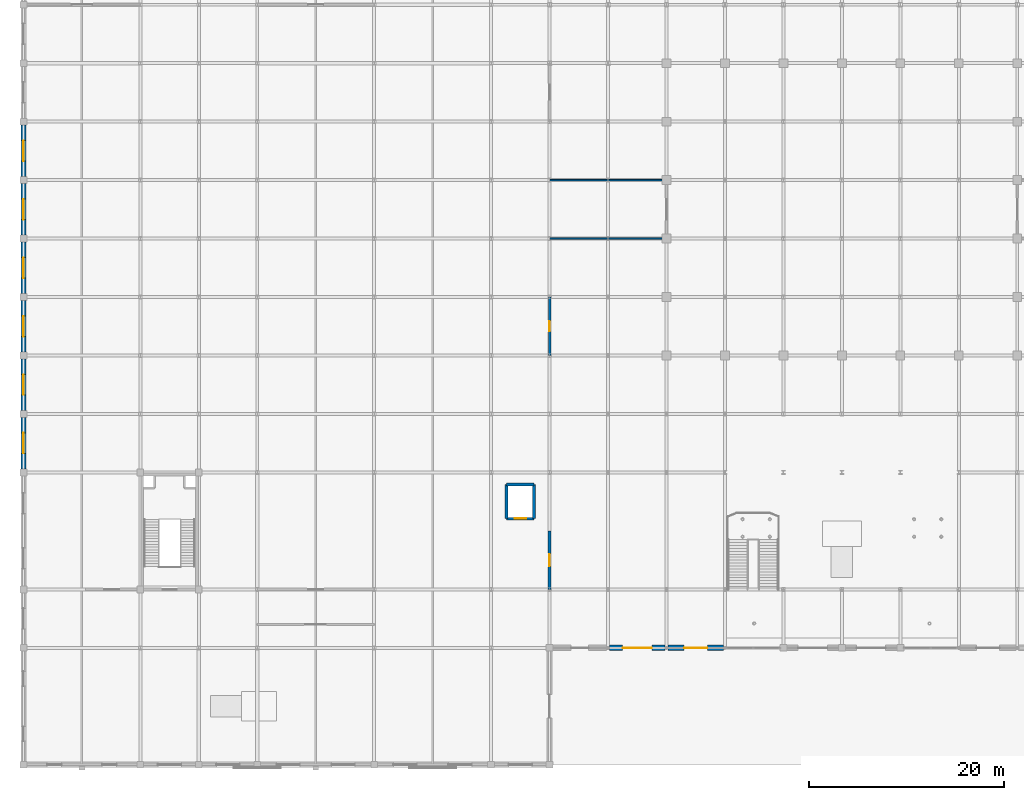
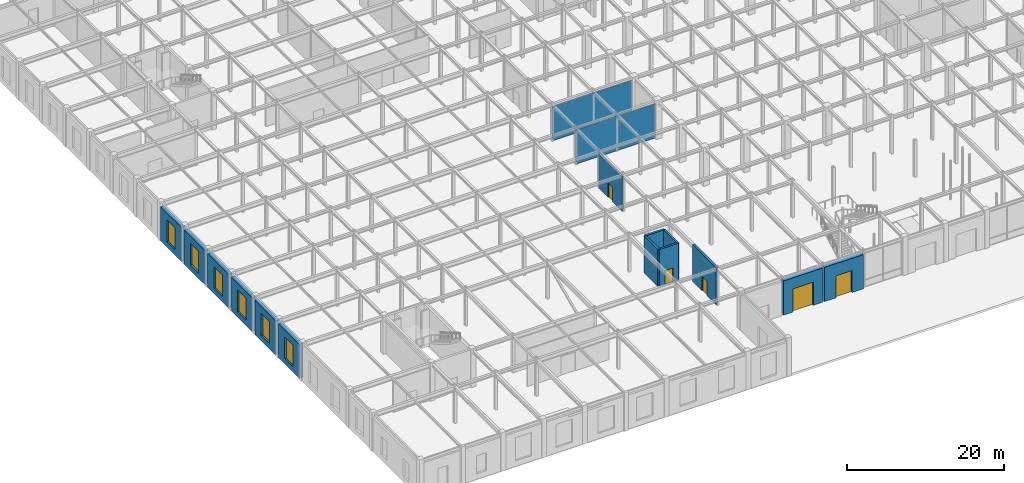
# One storey, part 41 of 51: 16 walls, 6 windows, 5 doors, 11 openings.
"""IFC4 building model written with IfcOpenShell, lengths in metres."""

from ifc_helpers import new_model, si_unit, direction, frame, frame_2d, origin, place, context, subcontext, project, spatial, rectangle, extrude, material, layer, layer_set, type_object, element, fill, save


model = new_model("IFC4")

# Units and contexts
model_context = context("Model", 3, precision=1e-05, world=origin(), true_north=direction((0.0, 1.0)))
body_context = subcontext(model_context, "Body", "Model", "MODEL_VIEW")
ifc_project = project(units=[si_unit("LENGTHUNIT", "METRE"), si_unit("AREAUNIT", "SQUARE_METRE"), si_unit("VOLUMEUNIT", "CUBIC_METRE"), si_unit("PLANEANGLEUNIT", "RADIAN"), si_unit("MASSUNIT", "GRAM", prefix="KILO")], contexts=[model_context])

# Site, building, storey
site_placement = place(None, origin())
site = spatial("IfcSite", under=ifc_project, at=site_placement, CompositionType="ELEMENT")
building_placement = place(site_placement, origin())
building = spatial("IfcBuilding", under=site, at=building_placement, Name="Zlatovratsky Civic Hall", CompositionType="ELEMENT")
storey_placement = place(building_placement, origin())
storey = spatial("IfcBuildingStorey", under=building, at=storey_placement, Name="L01", CompositionType="ELEMENT", Elevation=0.0)

# Wall, opening, door
ifc_material_1 = material(Name="Acoustic ceramic blockwork", Category="masonry")
ifc_layer_1 = layer(ifc_material_1, 0.260009765625)
ifc_layer_set_1 = layer_set([ifc_layer_1], Name="Acoustic ceramic blockwork")
wall_type_1 = type_object("IfcWallType", Name="Wall_ArchiveCompartment_260", PredefinedType="PARTITIONING", material=ifc_layer_set_1)
wall_1_placement = place(storey_placement, frame((54.0, 42.0, 0.0), z_axis=(0.0, 0.0, 1.0), x_axis=(0.0, 1.0, 0.0)))
wall_1 = element("IfcWall", 1, at=wall_1_placement, inside=storey, type_object=wall_type_1, Name="WL-6082", PredefinedType="PARTITIONING", context=body_context, shape_type="SweptSolid", body=[
    extrude(rectangle(XDim=6.0, YDim=0.260009765625, at=frame_2d((3.0, 0.0))), origin(), (0.0, 0.0, 1.0), 5.320068359375),
])
opening_1_placement = place(wall_1_placement, frame((2.47509765625, 0.0, 0.0)))
opening_1 = element("IfcOpeningElement", 2, at=opening_1_placement, cuts=wall_1, Name="Opening D-24", PredefinedType="OPENING", context=body_context, shape_type="SweptSolid", body=[
    extrude(rectangle(XDim=1.050048828125, YDim=2.25, at=frame_2d((0.52490234375, 1.125))), frame((0.0, 0.14501953125, 0.0), z_axis=(0.0, -1.0, 0.0), x_axis=(1.0, 0.0, 0.0)), (0.0, 0.0, 1.0), 0.289794921875),
])
ifc_material_2 = material(Name="Solid oak joinery in steel frame", Category="steel")
door_type_1 = type_object("IfcDoorType", Name="Door_DirectorateOffice_1050x2250", OperationType="NOTDEFINED", PredefinedType="DOOR", material=ifc_material_2)
door_1_placement = place(opening_1_placement, origin())
door_1 = element("IfcDoor", 3, at=door_1_placement, inside=storey, type_object=door_type_1, Name="DR-5243", OperationType="SINGLE_SWING_LEFT", OverallHeight=2.25, OverallWidth=1.050048828125, PredefinedType="DOOR", context=body_context, shape_type="SweptSolid", body=[
    extrude(rectangle(XDim=1.050048828125, YDim=2.25, at=frame_2d((0.52490234375, 1.125))), frame((0.0, 0.02490234375, 0.0), z_axis=(0.0, -1.0, 0.0), x_axis=(1.0, 0.0, 0.0)), (0.0, 0.0, 1.0), 0.050048828125),
])
fill(opening_1, door_1)

# Walls
ifc_material_3 = material(Name="Fire-rated gypsum board framing", Category="gypsum")
ifc_layer_2 = layer(ifc_material_3, 0.139892578125)
ifc_layer_set_2 = layer_set([ifc_layer_2], Name="Fire-rated gypsum board framing")
wall_type_2 = type_object("IfcWallType", Name="Wall_OfficePartition_140", PredefinedType="PARTITIONING", material=ifc_layer_set_2)
for number, where, z_axis, x_axis, name in (
    (4, (54.0, 54.0, 0.0), (0.0, 0.0, 1.0), (1.0, 0.0, 0.0), "WL-6095"),
    (5, (54.0, 60.0, 0.0), (0.0, 0.0, 1.0), (1.0, 0.0, 0.0), "WL-6096"),
):
    element("IfcWall", number, at=place(storey_placement, frame(where, z_axis=z_axis, x_axis=x_axis)), inside=storey, type_object=wall_type_2, Name=name, PredefinedType="PARTITIONING", context=body_context, shape_type="SweptSolid", body=[
        extrude(rectangle(XDim=11.659912109375, YDim=0.139892578125, at=frame_2d((5.830078125, 0.0))), origin(), (0.0, 0.0, 1.0), 5.320068359375),
    ])

# Wall, opening, door
ifc_layer_3 = layer(ifc_material_1, 0.39990234375, Name="Backing")
ifc_material_4 = material(Name="Polished Karelian granite ashlar", Category="masonry")
ifc_layer_4 = layer(ifc_material_4, 0.139892578125, Name="Finish")
ifc_layer_set_3 = layer_set([ifc_layer_3, ifc_layer_4], Name="Acoustic ceramic blockwork")
wall_type_3 = type_object("IfcWallType", Name="Wall_PodiumGraniteArcade_540", PredefinedType="SOLIDWALL", material=ifc_layer_set_3)
wall_2_placement = place(storey_placement, frame((60.136474609375, 12.0, 0.0), z_axis=(0.0, 0.0, 1.0), x_axis=(1.0, 0.0, 0.0)))
wall_2 = element("IfcWall", 6, at=wall_2_placement, inside=storey, type_object=wall_type_3, Name="WL-0097", PredefinedType="SOLIDWALL", context=body_context, shape_type="SweptSolid", body=[
    extrude(rectangle(XDim=5.72705078125, YDim=0.5400390625, at=frame_2d((2.863525390625, 0.0))), origin(), (0.0, 0.0, 1.0), 5.31005859375),
])
opening_2_placement = place(wall_2_placement, frame((1.364013671875, 0.0, 0.0)))
opening_2 = element("IfcOpeningElement", 7, at=opening_2_placement, cuts=wall_2, Name="Opening D-01", PredefinedType="OPENING", context=body_context, shape_type="SweptSolid", body=[
    extrude(rectangle(XDim=3.0, YDim=3.60009765625, at=frame_2d((1.5, 1.800048828125))), frame((0.0, 0.284912109375, 0.0), z_axis=(0.0, -1.0, 0.0), x_axis=(1.0, 0.0, 0.0)), (0.0, 0.0, 1.0), 0.56982421875),
])
ifc_material_5 = material(Name="Monumental cast bronze glazed portal", Category="aluminium")
door_type_2 = type_object("IfcDoorType", Name="Door_MainPortalBronze_3000x3600", OperationType="DOUBLE_DOOR_SINGLE_SWING", PredefinedType="DOOR", material=ifc_material_5)
door_2_placement = place(opening_2_placement, origin())
door_2 = element("IfcDoor", 8, at=door_2_placement, inside=storey, type_object=door_type_2, Name="DR-0007", OperationType="DOUBLE_DOOR_SINGLE_SWING", OverallHeight=3.60009765625, OverallWidth=3.0, PredefinedType="DOOR", context=body_context, shape_type="SweptSolid", body=[
    extrude(rectangle(XDim=3.0, YDim=3.60009765625, at=frame_2d((1.5, 1.800048828125))), frame((0.0, 0.02490234375, 0.0), z_axis=(0.0, -1.0, 0.0), x_axis=(1.0, 0.0, 0.0)), (0.0, 0.0, 1.0), 0.050048828125),
])
fill(opening_2, door_2)

wall_3_placement = place(storey_placement, frame((66.136474609375, 12.0, 0.0), z_axis=(0.0, 0.0, 1.0), x_axis=(1.0, 0.0, 0.0)))
wall_3 = element("IfcWall", 9, at=wall_3_placement, inside=storey, type_object=wall_type_3, Name="WL-0098", PredefinedType="SOLIDWALL", context=body_context, shape_type="SweptSolid", body=[
    extrude(rectangle(XDim=5.72705078125, YDim=0.5400390625, at=frame_2d((2.863525390625, 0.0))), origin(), (0.0, 0.0, 1.0), 5.31005859375),
])
opening_3_placement = place(wall_3_placement, frame((1.6640625, 0.0, 0.0)))
opening_3 = element("IfcOpeningElement", 10, at=opening_3_placement, cuts=wall_3, Name="Opening D-02", PredefinedType="OPENING", context=body_context, shape_type="SweptSolid", body=[
    extrude(rectangle(XDim=2.39990234375, YDim=3.39990234375, at=frame_2d((1.199951171875, 1.699951171875))), frame((0.0, 0.284912109375, 0.0), z_axis=(0.0, -1.0, 0.0), x_axis=(1.0, 0.0, 0.0)), (0.0, 0.0, 1.0), 0.56982421875),
])
door_type_3 = type_object("IfcDoorType", Name="Door_PlazaColonnade_2400x3400", OperationType="DOUBLE_DOOR_SINGLE_SWING", PredefinedType="DOOR", material=ifc_material_5)
door_3_placement = place(opening_3_placement, origin())
door_3 = element("IfcDoor", 11, at=door_3_placement, inside=storey, type_object=door_type_3, Name="DR-0008", OperationType="DOUBLE_DOOR_SINGLE_SWING", OverallHeight=3.39990234375, OverallWidth=2.39990234375, PredefinedType="DOOR", context=body_context, shape_type="SweptSolid", body=[
    extrude(rectangle(XDim=2.39990234375, YDim=3.39990234375, at=frame_2d((1.199951171875, 1.699951171875))), frame((0.0, 0.02490234375, 0.0), z_axis=(0.0, -1.0, 0.0), x_axis=(1.0, 0.0, 0.0)), (0.0, 0.0, 1.0), 0.050048828125),
])
fill(opening_3, door_3)

# Wall, opening, window
wall_4_placement = place(storey_placement, frame((0.0, 30.35009765625, 0.0), z_axis=(0.0, 0.0, 1.0), x_axis=(0.0, 1.0, 0.0)))
wall_4 = element("IfcWall", 12, at=wall_4_placement, inside=storey, type_object=wall_type_3, Name="WL-0136", PredefinedType="SOLIDWALL", context=body_context, shape_type="SweptSolid", body=[
    extrude(rectangle(XDim=5.2998046875, YDim=0.5400390625, at=frame_2d((2.64990234375, 0.0))), origin(), (0.0, 0.0, 1.0), 5.31005859375),
])
opening_4_placement = place(wall_4_placement, frame((1.60009765625, 0.0, 0.85009765625)))
opening_4 = element("IfcOpeningElement", 13, at=opening_4_placement, cuts=wall_4, Name="Opening WN-02", PredefinedType="OPENING", context=body_context, shape_type="SweptSolid", body=[
    extrude(rectangle(XDim=2.10009765625, YDim=3.39990234375, at=frame_2d((1.050048828125, 1.699951171875))), frame((0.0, 0.284912109375, 0.0), z_axis=(0.0, -1.0, 0.0), x_axis=(1.0, 0.0, 0.0)), (0.0, 0.0, 1.0), 0.56982421875),
])
ifc_material_6 = material(Name="Low-E laminated double glazing", Category="glass")
window_type = type_object("IfcWindowType", Name="Window_GroundCornerPavilion_2100x3400", PartitioningType="SINGLE_PANEL", PredefinedType="WINDOW", material=ifc_material_6)
window_1_placement = place(opening_4_placement, origin())
window_1 = element("IfcWindow", 14, at=window_1_placement, inside=storey, type_object=window_type, Name="WN-0044", OverallHeight=3.39990234375, OverallWidth=2.10009765625, PartitioningType="SINGLE_PANEL", PredefinedType="WINDOW", context=body_context, shape_type="SweptSolid", body=[
    extrude(rectangle(XDim=2.10009765625, YDim=3.39990234375, at=frame_2d((1.050048828125, 1.699951171875))), frame((0.0, 0.030029296875, 0.0), z_axis=(0.0, -1.0, 0.0), x_axis=(1.0, 0.0, 0.0)), (0.0, 0.0, 1.0), 0.06005859375),
])
fill(opening_4, window_1)

wall_5_placement = place(storey_placement, frame((0.0, 36.35009765625, 0.0), z_axis=(0.0, 0.0, 1.0), x_axis=(0.0, 1.0, 0.0)))
wall_5 = element("IfcWall", 15, at=wall_5_placement, inside=storey, type_object=wall_type_3, Name="WL-0137", PredefinedType="SOLIDWALL", context=body_context, shape_type="SweptSolid", body=[
    extrude(rectangle(XDim=5.2998046875, YDim=0.5400390625, at=frame_2d((2.64990234375, 0.0))), origin(), (0.0, 0.0, 1.0), 5.31005859375),
])
opening_5_placement = place(wall_5_placement, frame((1.60009765625, 0.0, 0.85009765625)))
opening_5 = element("IfcOpeningElement", 16, at=opening_5_placement, cuts=wall_5, Name="Opening WN-02", PredefinedType="OPENING", context=body_context, shape_type="SweptSolid", body=[
    extrude(rectangle(XDim=2.10009765625, YDim=3.39990234375, at=frame_2d((1.050048828125, 1.699951171875))), frame((0.0, 0.284912109375, 0.0), z_axis=(0.0, -1.0, 0.0), x_axis=(1.0, 0.0, 0.0)), (0.0, 0.0, 1.0), 0.56982421875),
])
window_2_placement = place(opening_5_placement, origin())
window_2 = element("IfcWindow", 17, at=window_2_placement, inside=storey, type_object=window_type, Name="WN-0045", OverallHeight=3.39990234375, OverallWidth=2.10009765625, PartitioningType="SINGLE_PANEL", PredefinedType="WINDOW", context=body_context, shape_type="SweptSolid", body=[
    extrude(rectangle(XDim=2.10009765625, YDim=3.39990234375, at=frame_2d((1.050048828125, 1.699951171875))), frame((0.0, 0.030029296875, 0.0), z_axis=(0.0, -1.0, 0.0), x_axis=(1.0, 0.0, 0.0)), (0.0, 0.0, 1.0), 0.06005859375),
])
fill(opening_5, window_2)

wall_6_placement = place(storey_placement, frame((0.0, 42.35009765625, 0.0), z_axis=(0.0, 0.0, 1.0), x_axis=(0.0, 1.0, 0.0)))
wall_6 = element("IfcWall", 18, at=wall_6_placement, inside=storey, type_object=wall_type_3, Name="WL-0138", PredefinedType="SOLIDWALL", context=body_context, shape_type="SweptSolid", body=[
    extrude(rectangle(XDim=5.2998046875, YDim=0.5400390625, at=frame_2d((2.64990234375, 0.0))), origin(), (0.0, 0.0, 1.0), 5.31005859375),
])
opening_6_placement = place(wall_6_placement, frame((1.60009765625, 0.0, 0.85009765625)))
opening_6 = element("IfcOpeningElement", 19, at=opening_6_placement, cuts=wall_6, Name="Opening WN-02", PredefinedType="OPENING", context=body_context, shape_type="SweptSolid", body=[
    extrude(rectangle(XDim=2.10009765625, YDim=3.39990234375, at=frame_2d((1.050048828125, 1.699951171875))), frame((0.0, 0.284912109375, 0.0), z_axis=(0.0, -1.0, 0.0), x_axis=(1.0, 0.0, 0.0)), (0.0, 0.0, 1.0), 0.56982421875),
])
window_3_placement = place(opening_6_placement, origin())
window_3 = element("IfcWindow", 20, at=window_3_placement, inside=storey, type_object=window_type, Name="WN-0046", OverallHeight=3.39990234375, OverallWidth=2.10009765625, PartitioningType="SINGLE_PANEL", PredefinedType="WINDOW", context=body_context, shape_type="SweptSolid", body=[
    extrude(rectangle(XDim=2.10009765625, YDim=3.39990234375, at=frame_2d((1.050048828125, 1.699951171875))), frame((0.0, 0.030029296875, 0.0), z_axis=(0.0, -1.0, 0.0), x_axis=(1.0, 0.0, 0.0)), (0.0, 0.0, 1.0), 0.06005859375),
])
fill(opening_6, window_3)

wall_7_placement = place(storey_placement, frame((0.0, 48.35009765625, 0.0), z_axis=(0.0, 0.0, 1.0), x_axis=(0.0, 1.0, 0.0)))
wall_7 = element("IfcWall", 21, at=wall_7_placement, inside=storey, type_object=wall_type_3, Name="WL-0139", PredefinedType="SOLIDWALL", context=body_context, shape_type="SweptSolid", body=[
    extrude(rectangle(XDim=5.2998046875, YDim=0.5400390625, at=frame_2d((2.64990234375, 0.0))), origin(), (0.0, 0.0, 1.0), 5.31005859375),
])
opening_7_placement = place(wall_7_placement, frame((1.60009765625, 0.0, 0.85009765625)))
opening_7 = element("IfcOpeningElement", 22, at=opening_7_placement, cuts=wall_7, Name="Opening WN-02", PredefinedType="OPENING", context=body_context, shape_type="SweptSolid", body=[
    extrude(rectangle(XDim=2.10009765625, YDim=3.39990234375, at=frame_2d((1.050048828125, 1.699951171875))), frame((0.0, 0.284912109375, 0.0), z_axis=(0.0, -1.0, 0.0), x_axis=(1.0, 0.0, 0.0)), (0.0, 0.0, 1.0), 0.56982421875),
])
window_4_placement = place(opening_7_placement, origin())
window_4 = element("IfcWindow", 23, at=window_4_placement, inside=storey, type_object=window_type, Name="WN-0047", OverallHeight=3.39990234375, OverallWidth=2.10009765625, PartitioningType="SINGLE_PANEL", PredefinedType="WINDOW", context=body_context, shape_type="SweptSolid", body=[
    extrude(rectangle(XDim=2.10009765625, YDim=3.39990234375, at=frame_2d((1.050048828125, 1.699951171875))), frame((0.0, 0.030029296875, 0.0), z_axis=(0.0, -1.0, 0.0), x_axis=(1.0, 0.0, 0.0)), (0.0, 0.0, 1.0), 0.06005859375),
])
fill(opening_7, window_4)

wall_8_placement = place(storey_placement, frame((0.0, 54.35009765625, 0.0), z_axis=(0.0, 0.0, 1.0), x_axis=(0.0, 1.0, 0.0)))
wall_8 = element("IfcWall", 24, at=wall_8_placement, inside=storey, type_object=wall_type_3, Name="WL-0140", PredefinedType="SOLIDWALL", context=body_context, shape_type="SweptSolid", body=[
    extrude(rectangle(XDim=5.2998046875, YDim=0.5400390625, at=frame_2d((2.64990234375, 0.0))), origin(), (0.0, 0.0, 1.0), 5.31005859375),
])
opening_8_placement = place(wall_8_placement, frame((1.60009765625, 0.0, 0.85009765625)))
opening_8 = element("IfcOpeningElement", 25, at=opening_8_placement, cuts=wall_8, Name="Opening WN-02", PredefinedType="OPENING", context=body_context, shape_type="SweptSolid", body=[
    extrude(rectangle(XDim=2.10009765625, YDim=3.39990234375, at=frame_2d((1.050048828125, 1.699951171875))), frame((0.0, 0.284912109375, 0.0), z_axis=(0.0, -1.0, 0.0), x_axis=(1.0, 0.0, 0.0)), (0.0, 0.0, 1.0), 0.56982421875),
])
window_5_placement = place(opening_8_placement, origin())
window_5 = element("IfcWindow", 26, at=window_5_placement, inside=storey, type_object=window_type, Name="WN-0048", OverallHeight=3.39990234375, OverallWidth=2.10009765625, PartitioningType="SINGLE_PANEL", PredefinedType="WINDOW", context=body_context, shape_type="SweptSolid", body=[
    extrude(rectangle(XDim=2.10009765625, YDim=3.39990234375, at=frame_2d((1.050048828125, 1.699951171875))), frame((0.0, 0.030029296875, 0.0), z_axis=(0.0, -1.0, 0.0), x_axis=(1.0, 0.0, 0.0)), (0.0, 0.0, 1.0), 0.06005859375),
])
fill(opening_8, window_5)

wall_9_placement = place(storey_placement, frame((0.0, 60.35009765625, 0.0), z_axis=(0.0, 0.0, 1.0), x_axis=(0.0, 1.0, 0.0)))
wall_9 = element("IfcWall", 27, at=wall_9_placement, inside=storey, type_object=wall_type_3, Name="WL-0141", PredefinedType="SOLIDWALL", context=body_context, shape_type="SweptSolid", body=[
    extrude(rectangle(XDim=5.2998046875, YDim=0.5400390625, at=frame_2d((2.64990234375, 0.0))), origin(), (0.0, 0.0, 1.0), 5.31005859375),
])
opening_9_placement = place(wall_9_placement, frame((1.60009765625, 0.0, 0.85009765625)))
opening_9 = element("IfcOpeningElement", 28, at=opening_9_placement, cuts=wall_9, Name="Opening WN-02", PredefinedType="OPENING", context=body_context, shape_type="SweptSolid", body=[
    extrude(rectangle(XDim=2.10009765625, YDim=3.39990234375, at=frame_2d((1.050048828125, 1.699951171875))), frame((0.0, 0.284912109375, 0.0), z_axis=(0.0, -1.0, 0.0), x_axis=(1.0, 0.0, 0.0)), (0.0, 0.0, 1.0), 0.56982421875),
])
window_6_placement = place(opening_9_placement, origin())
window_6 = element("IfcWindow", 29, at=window_6_placement, inside=storey, type_object=window_type, Name="WN-0049", OverallHeight=3.39990234375, OverallWidth=2.10009765625, PartitioningType="SINGLE_PANEL", PredefinedType="WINDOW", context=body_context, shape_type="SweptSolid", body=[
    extrude(rectangle(XDim=2.10009765625, YDim=3.39990234375, at=frame_2d((1.050048828125, 1.699951171875))), frame((0.0, 0.030029296875, 0.0), z_axis=(0.0, -1.0, 0.0), x_axis=(1.0, 0.0, 0.0)), (0.0, 0.0, 1.0), 0.06005859375),
])
fill(opening_9, window_6)

# Wall, opening, door
ifc_material_7 = material(Name="Concrete C35/45 (B40)", Category="concrete")
ifc_layer_5 = layer(ifc_material_7, 0.300048828125)
ifc_layer_set_4 = layer_set([ifc_layer_5], Name="Concrete C35/45 (B40)")
wall_type_4 = type_object("IfcWallType", Name="Wall_StairAndLiftShaft_300", PredefinedType="SHEAR", material=ifc_layer_set_4)
wall_10_placement = place(storey_placement, frame((49.60009765625, 25.25, 0.0), z_axis=(0.0, 0.0, 1.0), x_axis=(1.0, 0.0, 0.0)))
wall_10 = element("IfcWall", 30, at=wall_10_placement, inside=storey, type_object=wall_type_4, Name="WL-5973", PredefinedType="SHEAR", context=body_context, shape_type="SweptSolid", body=[
    extrude(rectangle(XDim=2.7998046875, YDim=0.300048828125, at=frame_2d((1.39990234375, 0.0))), origin(), (0.0, 0.0, 1.0), 5.760009765625),
])
opening_10_placement = place(wall_10_placement, frame((0.800048828125, 0.0, 0.0)))
opening_10 = element("IfcOpeningElement", 31, at=opening_10_placement, cuts=wall_10, Name="Opening LD-04", PredefinedType="OPENING", context=body_context, shape_type="SweptSolid", body=[
    extrude(rectangle(XDim=1.199951171875, YDim=2.199951171875, at=frame_2d((0.60009765625, 1.10009765625))), frame((0.0, 0.1650390625, 0.0), z_axis=(0.0, -1.0, 0.0), x_axis=(1.0, 0.0, 0.0)), (0.0, 0.0, 1.0), 0.329833984375),
])
ifc_material_8 = material(Name="Brushed stainless steel AISI 304", Category="steel")
door_type_4 = type_object("IfcDoorType", Name="Door_LiftLandingShuttle_1200x2200", OperationType="DOUBLE_DOOR_SLIDING", PredefinedType="DOOR", material=ifc_material_8)
door_4_placement = place(opening_10_placement, origin())
door_4 = element("IfcDoor", 32, at=door_4_placement, inside=storey, type_object=door_type_4, Name="Lift landing door LD-5196", OperationType="DOUBLE_DOOR_SLIDING", OverallHeight=2.199951171875, OverallWidth=1.199951171875, PredefinedType="DOOR", context=body_context, shape_type="SweptSolid", body=[
    extrude(rectangle(XDim=1.199951171875, YDim=2.199951171875, at=frame_2d((0.60009765625, 1.10009765625))), frame((0.0, 0.02490234375, 0.0), z_axis=(0.0, -1.0, 0.0), x_axis=(1.0, 0.0, 0.0)), (0.0, 0.0, 1.0), 0.050048828125),
])
fill(opening_10, door_4)

# Walls
wall_11_placement = place(storey_placement, frame((49.60009765625, 28.75, 0.0), z_axis=(0.0, 0.0, 1.0), x_axis=(1.0, 0.0, 0.0)))
element("IfcWall", 33, at=wall_11_placement, inside=storey, type_object=wall_type_4, Name="WL-5974", PredefinedType="SHEAR", context=body_context, shape_type="SweptSolid", body=[
    extrude(rectangle(XDim=2.7998046875, YDim=0.300048828125, at=frame_2d((1.39990234375, 0.0))), origin(), (0.0, 0.0, 1.0), 5.760009765625),
])
for number, where, z_axis, x_axis, name in (
    (34, (49.60009765625, 25.25, 0.0), (0.0, 0.0, 1.0), (0.0, 1.0, 0.0), "WL-5975"),
    (35, (52.39990234375, 25.25, 0.0), (0.0, 0.0, 1.0), (0.0, 1.0, 0.0), "WL-5976"),
):
    element("IfcWall", number, at=place(storey_placement, frame(where, z_axis=z_axis, x_axis=x_axis)), inside=storey, type_object=wall_type_4, Name=name, PredefinedType="SHEAR", context=body_context, shape_type="SweptSolid", body=[
        extrude(rectangle(XDim=3.5, YDim=0.300048828125, at=frame_2d((1.75, 0.0))), origin(), (0.0, 0.0, 1.0), 5.760009765625),
    ])

# Wall, opening, door
wall_12_placement = place(storey_placement, frame((54.0, 18.0, 0.0), z_axis=(0.0, 0.0, 1.0), x_axis=(0.0, 1.0, 0.0)))
wall_12 = element("IfcWall", 36, at=wall_12_placement, inside=storey, type_object=wall_type_4, Name="WL-6065", PredefinedType="SHEAR", context=body_context, shape_type="SweptSolid", body=[
    extrude(rectangle(XDim=6.0, YDim=0.300048828125, at=frame_2d((3.0, 0.0))), origin(), (0.0, 0.0, 1.0), 5.760009765625),
])
opening_11_placement = place(wall_12_placement, frame((2.375, 0.0, 0.0)))
opening_11 = element("IfcOpeningElement", 37, at=opening_11_placement, cuts=wall_12, Name="Opening D-19", PredefinedType="OPENING", context=body_context, shape_type="SweptSolid", body=[
    extrude(rectangle(XDim=1.25, YDim=2.25, at=frame_2d((0.625, 1.125))), frame((0.0, 0.1650390625, 0.0), z_axis=(0.0, -1.0, 0.0), x_axis=(1.0, 0.0, 0.0)), (0.0, 0.0, 1.0), 0.329833984375),
])
ifc_material_9 = material(Name="Insulated painted fire-rated steel leaf", Category="steel")
door_type_5 = type_object("IfcDoorType", Name="Door_FireCommandCentre_1250x2250", OperationType="NOTDEFINED", PredefinedType="DOOR", material=ifc_material_9)
door_5_placement = place(opening_11_placement, origin())
door_5 = element("IfcDoor", 38, at=door_5_placement, inside=storey, type_object=door_type_5, Name="DR-5226", OperationType="SINGLE_SWING_LEFT", OverallHeight=2.25, OverallWidth=1.25, PredefinedType="DOOR", context=body_context, shape_type="SweptSolid", body=[
    extrude(rectangle(XDim=1.25, YDim=2.25, at=frame_2d((0.625, 1.125))), frame((0.0, 0.02490234375, 0.0), z_axis=(0.0, -1.0, 0.0), x_axis=(1.0, 0.0, 0.0)), (0.0, 0.0, 1.0), 0.050048828125),
])
fill(opening_11, door_5)

save(model, "model.ifc")
